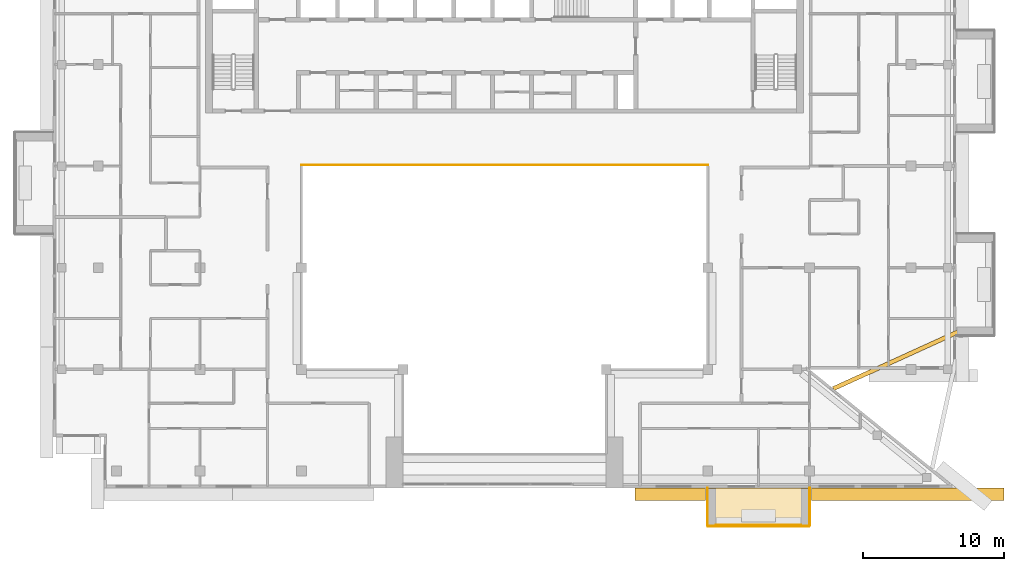
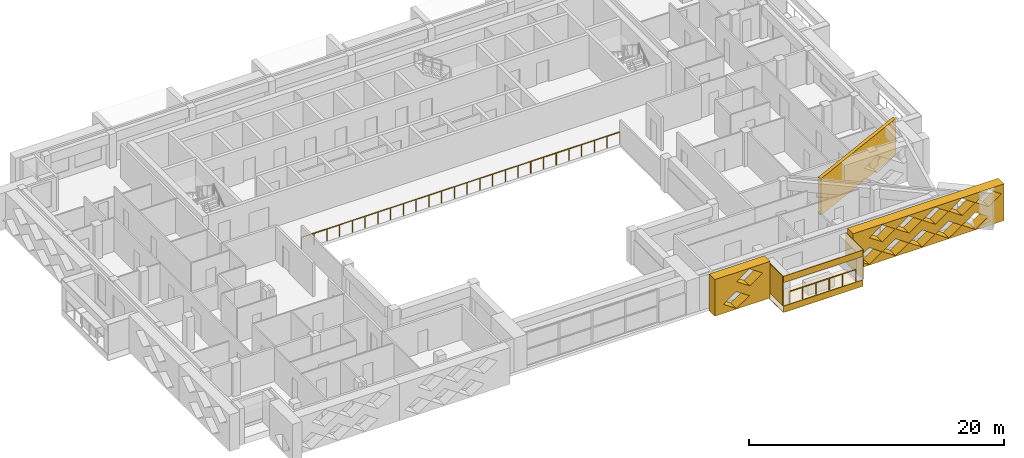
# One storey, part 15 of 19: 8 coverings, 2 railings.
"""IFC4 building model written with IfcOpenShell, lengths in metres."""

from ifc_helpers import new_model, si_unit, direction, frame, origin, origin_2d, place, context, subcontext, project, spatial, polyline, circle, outline, extrude, material, layer, layer_set, type_object, element, save


model = new_model("IFC4")

# Units and contexts
model_context = context("Model", 3, precision=1e-05, world=origin(), true_north=direction((0.0, 1.0)))
body_context = subcontext(model_context, "Body", "Model", "MODEL_VIEW")
ifc_project = project(units=[si_unit("LENGTHUNIT", "METRE"), si_unit("AREAUNIT", "SQUARE_METRE"), si_unit("VOLUMEUNIT", "CUBIC_METRE"), si_unit("PLANEANGLEUNIT", "RADIAN"), si_unit("MASSUNIT", "GRAM", prefix="KILO")], contexts=[model_context])

# Site, building, storey
site_placement = place(None, origin())
site = spatial("IfcSite", under=ifc_project, at=site_placement, CompositionType="ELEMENT")
building_placement = place(site_placement, origin())
building = spatial("IfcBuilding", under=site, at=building_placement, Name="Saffron Iwan Residences", CompositionType="ELEMENT")
storey_placement = place(building_placement, frame((0.0, 0.0, 253.5)))
storey = spatial("IfcBuildingStorey", under=building, at=storey_placement, Name="L68", CompositionType="ELEMENT", Elevation=253.5)

# Railings
ifc_material_1 = material(Name="Stainless steel 316", Category="steel")
railing_type_1 = type_object("IfcRailingType", Name="Atrium guard 1150", PredefinedType="GUARDRAIL", material=ifc_material_1)
railing_1_placement = place(storey_placement, frame((36.0, 62.47509765625, 0.0)))
element("IfcRailing", 1, at=railing_1_placement, inside=storey, type_object=railing_type_1, Name="Atrium guard L68", PredefinedType="GUARDRAIL", context=body_context, shape_type="SweptSolid", body=[
    extrude(circle(Radius=0.02392578125, at=origin_2d()), frame((0.0, 0.0, 1.1259765625), z_axis=(1.0, 0.0, 0.0), x_axis=(0.0, 1.0, 0.0)), (0.0, 0.0, 1.0), 28.800048828125),
    extrude(circle(Radius=0.02099609375, at=origin_2d()), origin(), (0.0, 0.0, 1.0), 1.101806640625),
    extrude(circle(Radius=0.02099609375, at=origin_2d()), frame((1.152099609375, 0.0, 0.0)), (0.0, 0.0, 1.0), 1.101806640625),
    extrude(circle(Radius=0.02099609375, at=origin_2d()), frame((2.303955078125, 0.0, 0.0)), (0.0, 0.0, 1.0), 1.101806640625),
    extrude(circle(Radius=0.02099609375, at=origin_2d()), frame((3.4560546875, 0.0, 0.0)), (0.0, 0.0, 1.0), 1.101806640625),
    extrude(circle(Radius=0.02099609375, at=origin_2d()), frame((4.60791015625, 0.0, 0.0)), (0.0, 0.0, 1.0), 1.101806640625),
    extrude(circle(Radius=0.02099609375, at=origin_2d()), frame((5.760009765625, 0.0, 0.0)), (0.0, 0.0, 1.0), 1.101806640625),
    extrude(circle(Radius=0.02099609375, at=origin_2d()), frame((6.912109375, 0.0, 0.0)), (0.0, 0.0, 1.0), 1.101806640625),
    extrude(circle(Radius=0.02099609375, at=origin_2d()), frame((8.06396484375, 0.0, 0.0)), (0.0, 0.0, 1.0), 1.101806640625),
    extrude(circle(Radius=0.02099609375, at=origin_2d()), frame((9.216064453125, 0.0, 0.0)), (0.0, 0.0, 1.0), 1.101806640625),
    extrude(circle(Radius=0.02099609375, at=origin_2d()), frame((10.367919921875, 0.0, 0.0)), (0.0, 0.0, 1.0), 1.101806640625),
    extrude(circle(Radius=0.02099609375, at=origin_2d()), frame((11.52001953125, 0.0, 0.0)), (0.0, 0.0, 1.0), 1.101806640625),
    extrude(circle(Radius=0.02099609375, at=origin_2d()), frame((12.672119140625, 0.0, 0.0)), (0.0, 0.0, 1.0), 1.101806640625),
    extrude(circle(Radius=0.02099609375, at=origin_2d()), frame((13.823974609375, 0.0, 0.0)), (0.0, 0.0, 1.0), 1.101806640625),
    extrude(circle(Radius=0.02099609375, at=origin_2d()), frame((14.97607421875, 0.0, 0.0)), (0.0, 0.0, 1.0), 1.101806640625),
    extrude(circle(Radius=0.02099609375, at=origin_2d()), frame((16.1279296875, 0.0, 0.0)), (0.0, 0.0, 1.0), 1.101806640625),
    extrude(circle(Radius=0.02099609375, at=origin_2d()), frame((17.280029296875, 0.0, 0.0)), (0.0, 0.0, 1.0), 1.101806640625),
    extrude(circle(Radius=0.02099609375, at=origin_2d()), frame((18.43212890625, 0.0, 0.0)), (0.0, 0.0, 1.0), 1.101806640625),
    extrude(circle(Radius=0.02099609375, at=origin_2d()), frame((19.583984375, 0.0, 0.0)), (0.0, 0.0, 1.0), 1.101806640625),
    extrude(circle(Radius=0.02099609375, at=origin_2d()), frame((20.736083984375, 0.0, 0.0)), (0.0, 0.0, 1.0), 1.101806640625),
    extrude(circle(Radius=0.02099609375, at=origin_2d()), frame((21.887939453125, 0.0, 0.0)), (0.0, 0.0, 1.0), 1.101806640625),
    extrude(circle(Radius=0.02099609375, at=origin_2d()), frame((23.0400390625, 0.0, 0.0)), (0.0, 0.0, 1.0), 1.101806640625),
    extrude(circle(Radius=0.02099609375, at=origin_2d()), frame((24.192138671875, 0.0, 0.0)), (0.0, 0.0, 1.0), 1.101806640625),
    extrude(circle(Radius=0.02099609375, at=origin_2d()), frame((25.343994140625, 0.0, 0.0)), (0.0, 0.0, 1.0), 1.101806640625),
    extrude(circle(Radius=0.02099609375, at=origin_2d()), frame((26.49609375, 0.0, 0.0)), (0.0, 0.0, 1.0), 1.101806640625),
    extrude(circle(Radius=0.02099609375, at=origin_2d()), frame((27.64794921875, 0.0, 0.0)), (0.0, 0.0, 1.0), 1.101806640625),
    extrude(circle(Radius=0.02099609375, at=origin_2d()), frame((28.800048828125, 0.0, 0.0)), (0.0, 0.0, 1.0), 1.101806640625),
])
railing_type_2 = type_object("IfcRailingType", Name="BALCONY GUARD 1150", PredefinedType="GUARDRAIL", material=ifc_material_1)
railing_2_placement = place(storey_placement, frame((65.39990234375, 36.97509765625, 0.0)))
element("IfcRailing", 2, at=railing_2_placement, inside=storey, type_object=railing_type_2, Name="Balcony guard L68 11-0", PredefinedType="GUARDRAIL", context=body_context, shape_type="SweptSolid", body=[
    extrude(circle(Radius=0.02392578125, at=origin_2d()), frame((0.0, 0.0, 1.1259765625), z_axis=(1.0, 0.0, 0.0), x_axis=(0.0, 1.0, 0.0)), (0.0, 0.0, 1.0), 6.0),
    extrude(circle(Radius=0.02099609375, at=origin_2d()), origin(), (0.0, 0.0, 1.0), 1.101806640625),
    extrude(circle(Radius=0.02099609375, at=origin_2d()), frame((1.199951171875, 0.0, 0.0)), (0.0, 0.0, 1.0), 1.101806640625),
    extrude(circle(Radius=0.02099609375, at=origin_2d()), frame((2.39990234375, 0.0, 0.0)), (0.0, 0.0, 1.0), 1.101806640625),
    extrude(circle(Radius=0.02099609375, at=origin_2d()), frame((3.60009765625, 0.0, 0.0)), (0.0, 0.0, 1.0), 1.101806640625),
    extrude(circle(Radius=0.02099609375, at=origin_2d()), frame((4.800048828125, 0.0, 0.0)), (0.0, 0.0, 1.0), 1.101806640625),
    extrude(circle(Radius=0.02099609375, at=origin_2d()), frame((6.0, 0.0, 0.0)), (0.0, 0.0, 1.0), 1.101806640625),
])

# Coverings
ifc_material_2 = material(Name="Precast concrete C40/50 white painted", Category="concrete")
ifc_layer_1 = layer(ifc_material_2, 0.050048828125)
ifc_layer_set_1 = layer_set([ifc_layer_1], Name="Precast concrete C40/50 white painted")
covering_type_1 = type_object("IfcCoveringType", Name="FRAME SKIN PRECAST WHITE 50", PredefinedType="CLADDING", material=ifc_layer_set_1)
for number, where, name in (
    (3, (0.0, 0.0, -0.60009765625), "Frame skin slab edge L68 11-0"),
    (4, (0.0, 0.0, 2.25), "Frame skin fascia L68 11-0"),
):
    element("IfcCovering", number, at=place(storey_placement, frame(where)), inside=storey, type_object=covering_type_1, Name=name, PredefinedType="CLADDING", context=body_context, shape_type="SweptSolid", body=[
        extrude(outline(polyline([(64.800048828125, 36.85009765625), (72.0, 36.85009765625), (72.0, 36.89990234375), (64.800048828125, 36.89990234375), (64.800048828125, 36.85009765625)])), origin(), (0.0, 0.0, 1.0), 0.60009765625),
    ])
covering_1_placement = place(storey_placement, frame((0.0, 0.0, -0.64990234375)))
element("IfcCovering", 5, at=covering_1_placement, inside=storey, type_object=covering_type_1, Name="Frame skin soffit L68 11-0", PredefinedType="CLADDING", context=body_context, shape_type="SweptSolid", body=[
    extrude(outline(polyline([(64.800048828125, 36.89990234375), (72.0, 36.89990234375), (72.0, 39.60009765625), (64.800048828125, 39.60009765625), (64.800048828125, 36.89990234375)])), origin(), (0.0, 0.0, 1.0), 0.0498046875),
])
covering_2_placement = place(storey_placement, origin())
element("IfcCovering", 6, at=covering_2_placement, inside=storey, type_object=covering_type_1, Name="Frame skin fin L68 11-0a", PredefinedType="CLADDING", context=body_context, shape_type="SweptSolid", body=[
    extrude(outline(polyline([(64.75, 36.89990234375), (64.800048828125, 36.89990234375), (64.800048828125, 39.60009765625), (64.75, 39.60009765625), (64.75, 36.89990234375)])), origin(), (0.0, 0.0, 1.0), 2.85009765625),
])
covering_3_placement = place(storey_placement, origin())
element("IfcCovering", 7, at=covering_3_placement, inside=storey, type_object=covering_type_1, Name="Frame skin fin L68 11-0b", PredefinedType="CLADDING", context=body_context, shape_type="SweptSolid", body=[
    extrude(outline(polyline([(72.0, 36.89990234375), (72.050048828125, 36.89990234375), (72.050048828125, 39.60009765625), (72.0, 39.60009765625), (72.0, 36.89990234375)])), origin(), (0.0, 0.0, 1.0), 2.85009765625),
])
ifc_material_3 = material(Name="Precast concrete C40/50", Category="concrete")
covering_type_2 = type_object("IfcCoveringType", Name="OUTER SKIN LATTICE SCREEN", PredefinedType="CLADDING", material=ifc_material_3)
covering_4_placement = place(storey_placement, frame((59.64990234375, 39.60009765625, -0.280029296875), z_axis=(0.0, -1.0, 0.0), x_axis=(1.0, 0.0, 0.0)))
element("IfcCovering", 8, at=covering_4_placement, inside=storey, type_object=covering_type_2, Name="OUTER SKIN lattice screen L68 F11.2", PredefinedType="CLADDING", context=body_context, shape_type="SweptSolid", body=[
    extrude(outline(polyline([(0.0, 0.0), (5.0, 0.0), (5.0, 3.5), (0.0, 3.5), (0.0, 0.0)]), holes=[polyline([(0.77001953125, 0.875), (1.949951171875, 0.06005859375), (3.1298828125, 0.875), (1.949951171875, 1.68994140625), (0.77001953125, 0.875)]), polyline([(1.969970703125, 2.625), (3.14990234375, 1.81005859375), (4.330078125, 2.625), (3.14990234375, 3.43994140625), (1.969970703125, 2.625)])]), origin(), (0.0, 0.0, 1.0), 0.900146484375),
])
covering_5_placement = place(storey_placement, frame((72.14990234375, 39.60009765625, -0.280029296875), z_axis=(0.0, -1.0, 0.0), x_axis=(1.0, 0.0, 0.0)))
element("IfcCovering", 9, at=covering_5_placement, inside=storey, type_object=covering_type_2, Name="OUTER SKIN lattice screen L68 F11.3", PredefinedType="CLADDING", context=body_context, shape_type="SweptSolid", body=[
    extrude(outline(polyline([(0.0, 0.0), (13.6455078125, 0.0), (13.6455078125, 3.5), (0.0, 3.5), (0.0, 0.0)]), holes=[polyline([(0.27001953125, 0.875), (1.449951171875, 0.06005859375), (2.6298828125, 0.875), (1.449951171875, 1.68994140625), (0.27001953125, 0.875)]), polyline([(2.669921875, 0.875), (3.85009765625, 0.06005859375), (5.030029296875, 0.875), (3.85009765625, 1.68994140625), (2.669921875, 0.875)]), polyline([(5.070068359375, 0.875), (6.25, 0.06005859375), (7.429931640625, 0.875), (6.25, 1.68994140625), (5.070068359375, 0.875)]), polyline([(7.469970703125, 0.875), (8.64990234375, 0.06005859375), (9.830078125, 0.875), (8.64990234375, 1.68994140625), (7.469970703125, 0.875)]), polyline([(9.8701171875, 0.875), (11.050048828125, 0.06005859375), (12.22998046875, 0.875), (11.050048828125, 1.68994140625), (9.8701171875, 0.875)]), polyline([(1.469970703125, 2.625), (2.64990234375, 1.81005859375), (3.830078125, 2.625), (2.64990234375, 3.43994140625), (1.469970703125, 2.625)]), polyline([(3.8701171875, 2.625), (5.050048828125, 1.81005859375), (6.22998046875, 2.625), (5.050048828125, 3.43994140625), (3.8701171875, 2.625)]), polyline([(6.27001953125, 2.625), (7.449951171875, 1.81005859375), (8.6298828125, 2.625), (7.449951171875, 3.43994140625), (6.27001953125, 2.625)]), polyline([(8.669921875, 2.625), (9.85009765625, 1.81005859375), (11.030029296875, 2.625), (9.85009765625, 3.43994140625), (8.669921875, 2.625)]), polyline([(11.070068359375, 2.625), (12.25, 1.81005859375), (13.429931640625, 2.625), (12.25, 3.43994140625), (11.070068359375, 2.625)])]), origin(), (0.0, 0.0, 1.0), 0.900146484375),
])
ifc_layer_2 = layer(ifc_material_2, 0.300048828125)
ifc_layer_set_2 = layer_set([ifc_layer_2], Name="Precast concrete C40/50 white painted")
covering_type_3 = type_object("IfcCoveringType", Name="PROW NOSE BLADE PRECAST WHITE", PredefinedType="CLADDING", material=ifc_layer_set_2)
covering_6_placement = place(storey_placement, frame((0.0, 0.0, -0.280029296875)))
element("IfcCovering", 10, at=covering_6_placement, inside=storey, type_object=covering_type_3, Name="Prow nose blade L68 b", PredefinedType="CLADDING", context=body_context, shape_type="SweptSolid", body=[
    extrude(outline(polyline([(73.761474609375, 46.490966796875), (82.917236328125, 50.6650390625), (82.792724609375, 50.93798828125), (73.636962890625, 46.763916015625), (73.761474609375, 46.490966796875)])), origin(), (0.0, 0.0, 1.0), 3.5),
])

save(model, "model.ifc")
